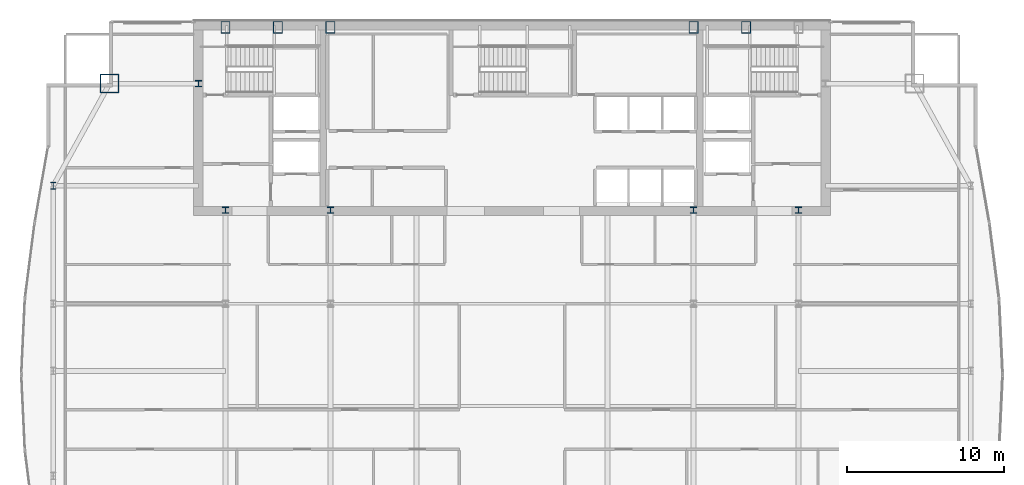
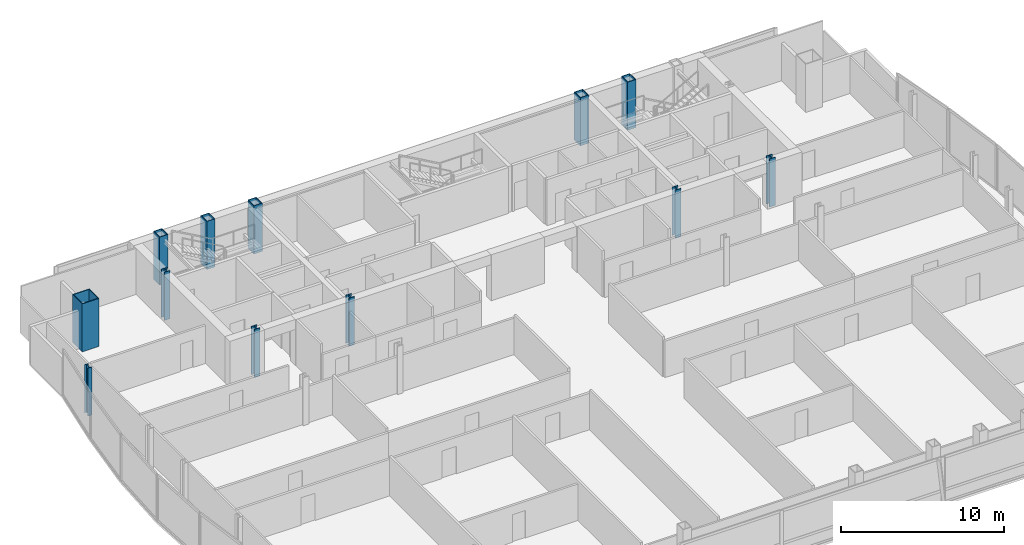
# One storey, part 3 of 30: 12 columns.
"""IFC4 building model written with IfcOpenShell, lengths in metres."""

from ifc_helpers import new_model, si_unit, direction, frame, origin, origin_2d, place, context, subcontext, project, spatial, hollow_rectangle, i_section, extrude, material, material_profile, profile_set, type_object, element, save


model = new_model("IFC4")

# Units and contexts
model_context = context("Model", 3, precision=1e-05, world=origin(), true_north=direction((0.0, 1.0)))
body_context = subcontext(model_context, "Body", "Model", "MODEL_VIEW")
ifc_project = project(units=[si_unit("LENGTHUNIT", "METRE"), si_unit("AREAUNIT", "SQUARE_METRE"), si_unit("VOLUMEUNIT", "CUBIC_METRE"), si_unit("PLANEANGLEUNIT", "RADIAN"), si_unit("MASSUNIT", "GRAM", prefix="KILO")], contexts=[model_context])

# Site, building, storey
site_placement = place(None, origin())
site = spatial("IfcSite", under=ifc_project, at=site_placement, CompositionType="ELEMENT")
building_placement = place(site_placement, origin())
building = spatial("IfcBuilding", under=site, at=building_placement, Name="Khoronbel Lancet Exchange", CompositionType="ELEMENT")
storey_placement = place(building_placement, frame((0.0, 0.0, 203.0)))
storey = spatial("IfcBuildingStorey", under=building, at=storey_placement, Name="L51", CompositionType="ELEMENT", Elevation=203.0)

# Columns
ifc_material_1 = material(Name="Steel S460", Category="steel")
ifc_material_profile_1 = material_profile(ifc_material_1, hollow_rectangle(XDim=0.60009765625, YDim=0.75, WallThickness=0.044921875, at=origin_2d()), Name="BOX 750x600x45")
ifc_profile_set_1 = profile_set([ifc_material_profile_1], Name="Steel S460")
column_type_1 = type_object("IfcColumnType", Name="COL-EC3", PredefinedType="COLUMN", material=ifc_profile_set_1)
for number, where, z_axis, x_axis, name in (
    (1, (18.22509765625, 53.280029296875, 0.0), (0.0, 0.0, 1.0), (1.0, 0.0, 0.0), "Structural column NC-W1 L51"),
    (2, (21.5625, 53.280029296875, 0.0), (0.0, 0.0, 1.0), (1.0, 0.0, 0.0), "Structural column NC-WM L51"),
    (3, (24.89990234375, 53.280029296875, 0.0), (0.0, 0.0, 1.0), (1.0, 0.0, 0.0), "Structural column NC-W2 L51"),
    (4, (48.0, 53.280029296875, 0.0), (0.0, 0.0, 1.0), (1.0, 0.0, 0.0), "Structural column NC-E1 L51"),
    (5, (51.33740234375, 53.280029296875, 0.0), (0.0, 0.0, 1.0), (1.0, 0.0, 0.0), "Structural column NC-EM L51"),
):
    element("IfcColumn", number, at=place(storey_placement, frame(where, z_axis=z_axis, x_axis=x_axis)), inside=storey, type_object=column_type_1, Name=name, PredefinedType="COLUMN", context=body_context, shape_type="SweptSolid", body=[
        extrude(hollow_rectangle(XDim=0.60009765625, YDim=0.75, WallThickness=0.044921875, at=origin_2d()), origin(), (0.0, 0.0, 1.0), 3.60009765625),
    ])
ifc_material_2 = material(Name="Steel S355", Category="steel")
ifc_material_profile_2 = material_profile(ifc_material_2, i_section(OverallWidth=0.406005859375, OverallDepth=0.416015625, WebThickness=0.02978515625, FlangeThickness=0.048095703125, at=origin_2d()), Name="HD 400x382")
ifc_profile_set_2 = profile_set([ifc_material_profile_2], Name="Steel S355")
column_type_2 = type_object("IfcColumnType", Name="COL-IC3", PredefinedType="COLUMN", material=ifc_profile_set_2)
for number, where, z_axis, x_axis, name in (
    (6, (16.5, 49.699951171875, 0.0), (0.0, 0.0, 1.0), (1.0, 0.0, 0.0), "Core-flank plumb transfer column CFW L51"),
    (7, (18.22509765625, 41.64990234375, 0.0), (0.0, 0.0, 1.0), (1.0, 0.0, 0.0), "Core-embedded steel column CTC1 L51"),
    (8, (24.89990234375, 41.64990234375, 0.0), (0.0, 0.0, 1.0), (1.0, 0.0, 0.0), "Core-embedded steel column CTC2 L51"),
    (9, (48.0, 41.64990234375, 0.0), (0.0, 0.0, 1.0), (1.0, 0.0, 0.0), "Core-embedded steel column CTC3 L51"),
    (10, (54.675048828125, 41.64990234375, 0.0), (0.0, 0.0, 1.0), (1.0, 0.0, 0.0), "Core-embedded steel column CTC4 L51"),
):
    element("IfcColumn", number, at=place(storey_placement, frame(where, z_axis=z_axis, x_axis=x_axis)), inside=storey, type_object=column_type_2, Name=name, PredefinedType="COLUMN", context=body_context, shape_type="SweptSolid", body=[
        extrude(i_section(OverallWidth=0.406005859375, OverallDepth=0.416015625, WebThickness=0.02978515625, FlangeThickness=0.048095703125, at=origin_2d()), origin(), (0.0, 0.0, 1.0), 3.60009765625),
    ])
ifc_material_profile_3 = material_profile(ifc_material_2, i_section(OverallWidth=0.300048828125, OverallDepth=0.449951171875, WebThickness=0.013916015625, FlangeThickness=0.02587890625, at=origin_2d()), Name="HEB 450")
ifc_profile_set_3 = profile_set([ifc_material_profile_3], Name="Steel S355")
column_type_3 = type_object("IfcColumnType", Name="COL-LC2", PredefinedType="COLUMN", material=ifc_profile_set_3)
column_1_placement = place(storey_placement, frame((7.27001953125, 43.199951171875, 0.0), z_axis=(0.0, 0.0, 1.0), x_axis=(1.0, 0.0, 0.0)))
element("IfcColumn", 11, at=column_1_placement, inside=storey, type_object=column_type_3, Name="Structural column WC-4 L51", PredefinedType="COLUMN", context=body_context, shape_type="SweptSolid", body=[
    extrude(i_section(OverallWidth=0.300048828125, OverallDepth=0.449951171875, WebThickness=0.013916015625, FlangeThickness=0.02587890625, at=origin_2d()), origin(), (0.0, 0.0, 1.0), 3.60009765625),
])
ifc_material_profile_4 = material_profile(ifc_material_1, hollow_rectangle(XDim=1.199951171875, YDim=1.199951171875, WallThickness=0.06005859375, at=origin_2d()), Name="BOX 1200x1200x60")
ifc_profile_set_4 = profile_set([ifc_material_profile_4], Name="Steel S460")
column_type_4 = type_object("IfcColumnType", Name="COL-MC5", PredefinedType="COLUMN", material=ifc_profile_set_4)
column_2_placement = place(storey_placement, frame((10.85009765625, 49.699951171875, 0.0), z_axis=(0.0, 0.0, 1.0), x_axis=(1.0, 0.0, 0.0)))
element("IfcColumn", 12, at=column_2_placement, inside=storey, type_object=column_type_4, Name="Structural column MC-NW L51", PredefinedType="COLUMN", context=body_context, shape_type="SweptSolid", body=[
    extrude(hollow_rectangle(XDim=1.199951171875, YDim=1.199951171875, WallThickness=0.06005859375, at=origin_2d()), origin(), (0.0, 0.0, 1.0), 3.60009765625),
])

save(model, "model.ifc")
